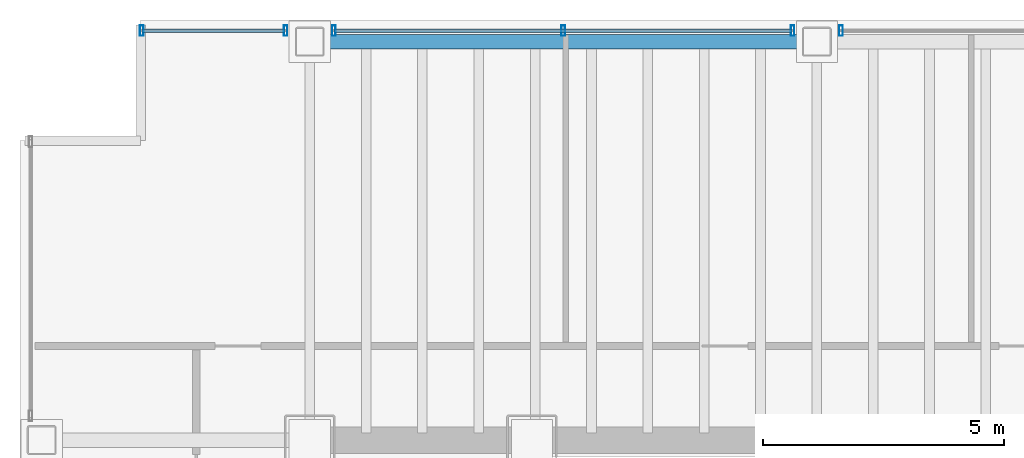
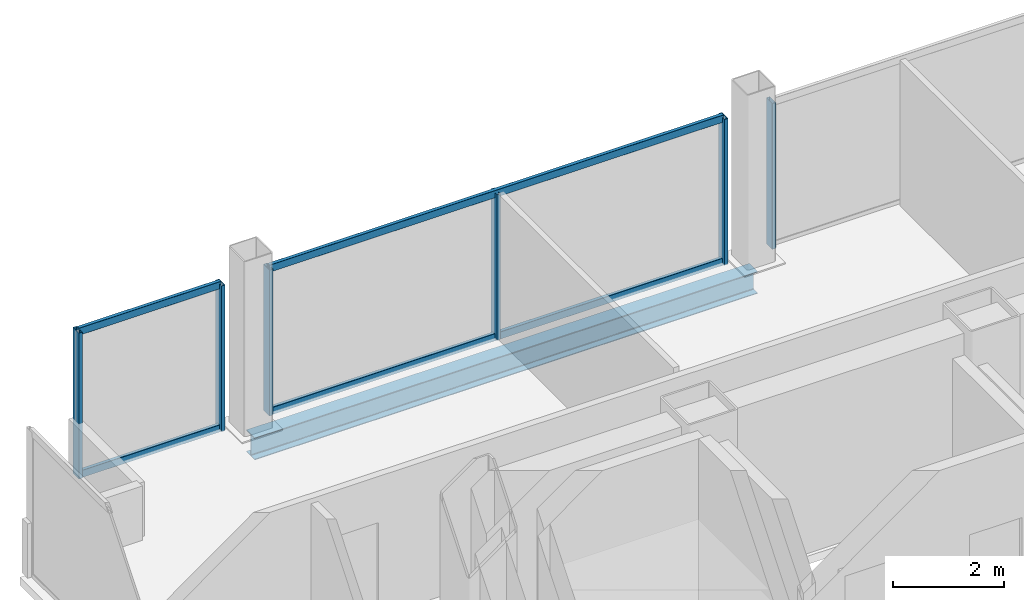
# One storey, part 13 of 20: 10 members, 1 beam, 3 elements without a shape of their own.
"""IFC4 building model written with IfcOpenShell, lengths in metres."""

from ifc_helpers import new_model, si_unit, direction, frame, origin, origin_2d, place, context, subcontext, project, spatial, hollow_rectangle, i_section, extrude, material, material_profile, profile_set, type_object, element, aggregate, save


model = new_model("IFC4")

# Units and contexts
model_context = context("Model", 3, precision=1e-05, world=origin(), true_north=direction((0.0, 1.0)))
body_context = subcontext(model_context, "Body", "Model", "MODEL_VIEW")
ifc_project = project(units=[si_unit("LENGTHUNIT", "METRE"), si_unit("AREAUNIT", "SQUARE_METRE"), si_unit("VOLUMEUNIT", "CUBIC_METRE"), si_unit("PLANEANGLEUNIT", "RADIAN"), si_unit("MASSUNIT", "GRAM", prefix="KILO")], contexts=[model_context])

# Site, building, storey
site_placement = place(None, origin())
site = spatial("IfcSite", under=ifc_project, at=site_placement, CompositionType="ELEMENT")
building_placement = place(site_placement, origin())
building = spatial("IfcBuilding", under=site, at=building_placement, Name="Noeulbin Bourse Tower", CompositionType="ELEMENT")
storey_placement = place(building_placement, frame((0.0, 0.0, 61.60009765625)))
storey = spatial("IfcBuildingStorey", under=building, at=storey_placement, Name="L15", CompositionType="ELEMENT", Elevation=61.60009765625)

# Beam
ifc_material_1 = material(Name="Steel S355", Category="steel")
ifc_material_profile_1 = material_profile(ifc_material_1, i_section(OverallWidth=0.300048828125, OverallDepth=0.488037109375, WebThickness=0.010986328125, FlangeThickness=0.01806640625, FilletRadius=0.02197265625, at=origin_2d()), Name="H-488x300x11x18", Category="LoadBearing")
ifc_profile_set_1 = profile_set([ifc_material_profile_1], Name="Steel S355")
beam_type = type_object("IfcBeamType", Name="BM-SPN-488", PredefinedType="SPANDREL", material=ifc_profile_set_1)
beam_placement = place(storey_placement, frame((13.5, 46.550048828125, -0.424072265625), z_axis=(1.0, 0.0, 0.0), x_axis=(0.0, 1.0, 0.0)))
element("IfcBeam", 1, at=beam_placement, inside=storey, type_object=beam_type, Name="North Spandrel L15-1", PredefinedType="SPANDREL", context=body_context, shape_type="SweptSolid", body=[
    extrude(i_section(OverallWidth=0.300048828125, OverallDepth=0.488037109375, WebThickness=0.010986328125, FlangeThickness=0.01806640625, FilletRadius=0.02197265625, at=origin_2d()), origin(), (0.0, 0.0, 1.0), 10.5),
])

# Curtain wall, members
ifc_material_2 = material(Name="Dark Solar-Control Double Glazing", Category="glass")
curtain_wall_type = type_object("IfcCurtainWallType", Name="CW-SYS-2", PredefinedType="NOTDEFINED", material=ifc_material_2)
curtain_wall_1_placement = place(storey_placement, origin())
curtain_wall_1 = element("IfcCurtainWall", 2, at=curtain_wall_1_placement, inside=storey, type_object=curtain_wall_type, Name="Unitised Curtain Wall CW-L15-N-S1", PredefinedType="NOTDEFINED")
ifc_material_3 = material(Name="Anodised Aluminium 6063-T6", Category="aluminium")
ifc_material_profile_2 = material_profile(ifc_material_3, hollow_rectangle(XDim=0.074951171875, YDim=0.219970703125, WallThickness=0.0048828125, InnerFilletRadius=0.00244140625, OuterFilletRadius=0.0048828125, at=origin_2d()), Name="ALU-MULL-75x220x5", Category="LoadBearing")
ifc_profile_set_2 = profile_set([ifc_material_profile_2], Name="Anodised Aluminium 6063-T6")
member_type_1 = type_object("IfcMemberType", Name="CW-SYS-2-MUL", PredefinedType="MULLION", material=ifc_profile_set_2)
member_1_placement = place(storey_placement, frame((10.02001953125, 46.780029296875, -0.02001953125), z_axis=(0.0, 0.0, 1.0), x_axis=(1.0, 0.0, 0.0)))
member_1 = element("IfcMember", 3, at=member_1_placement, type_object=member_type_1, Name="Curtain Wall Mullion CW-L15-N-S1-M00", PredefinedType="MULLION", context=body_context, shape_type="SweptSolid", body=[
    extrude(hollow_rectangle(XDim=0.074951171875, YDim=0.219970703125, WallThickness=0.0048828125, InnerFilletRadius=0.00244140625, OuterFilletRadius=0.0048828125, at=origin_2d()), origin(), (0.0, 0.0, 1.0), 3.219970703125),
])
member_2_placement = place(storey_placement, frame((13.0, 46.780029296875, -0.02001953125), z_axis=(0.0, 0.0, 1.0), x_axis=(1.0, 0.0, 0.0)))
member_2 = element("IfcMember", 4, at=member_2_placement, type_object=member_type_1, Name="Curtain Wall Mullion CW-L15-N-S1-M01", PredefinedType="MULLION", context=body_context, shape_type="SweptSolid", body=[
    extrude(hollow_rectangle(XDim=0.074951171875, YDim=0.219970703125, WallThickness=0.0048828125, InnerFilletRadius=0.00244140625, OuterFilletRadius=0.0048828125, at=origin_2d()), origin(), (0.0, 0.0, 1.0), 3.219970703125),
])

curtain_wall_2_placement = place(storey_placement, origin())
curtain_wall_2 = element("IfcCurtainWall", 5, at=curtain_wall_2_placement, inside=storey, type_object=curtain_wall_type, Name="Unitised Curtain Wall CW-L15-N-S2", PredefinedType="NOTDEFINED")
member_3_placement = place(storey_placement, frame((14.0, 46.780029296875, -0.02001953125), z_axis=(0.0, 0.0, 1.0), x_axis=(1.0, 0.0, 0.0)))
member_3 = element("IfcMember", 6, at=member_3_placement, type_object=member_type_1, Name="Curtain Wall Mullion CW-L15-N-S2-M00", PredefinedType="MULLION", context=body_context, shape_type="SweptSolid", body=[
    extrude(hollow_rectangle(XDim=0.074951171875, YDim=0.219970703125, WallThickness=0.0048828125, InnerFilletRadius=0.00244140625, OuterFilletRadius=0.0048828125, at=origin_2d()), origin(), (0.0, 0.0, 1.0), 3.219970703125),
])
member_4_placement = place(storey_placement, frame((18.75, 46.780029296875, -0.02001953125), z_axis=(0.0, 0.0, 1.0), x_axis=(1.0, 0.0, 0.0)))
member_4 = element("IfcMember", 7, at=member_4_placement, type_object=member_type_1, Name="Curtain Wall Mullion CW-L15-N-S2-M01", PredefinedType="MULLION", context=body_context, shape_type="SweptSolid", body=[
    extrude(hollow_rectangle(XDim=0.074951171875, YDim=0.219970703125, WallThickness=0.0048828125, InnerFilletRadius=0.00244140625, OuterFilletRadius=0.0048828125, at=origin_2d()), origin(), (0.0, 0.0, 1.0), 3.219970703125),
])
member_5_placement = place(storey_placement, frame((23.5, 46.780029296875, -0.02001953125), z_axis=(0.0, 0.0, 1.0), x_axis=(1.0, 0.0, 0.0)))
member_5 = element("IfcMember", 8, at=member_5_placement, type_object=member_type_1, Name="Curtain Wall Mullion CW-L15-N-S2-M02", PredefinedType="MULLION", context=body_context, shape_type="SweptSolid", body=[
    extrude(hollow_rectangle(XDim=0.074951171875, YDim=0.219970703125, WallThickness=0.0048828125, InnerFilletRadius=0.00244140625, OuterFilletRadius=0.0048828125, at=origin_2d()), origin(), (0.0, 0.0, 1.0), 3.219970703125),
])

# Curtain wall, member
curtain_wall_3_placement = place(storey_placement, origin())
curtain_wall_3 = element("IfcCurtainWall", 9, at=curtain_wall_3_placement, inside=storey, type_object=curtain_wall_type, Name="Unitised Curtain Wall CW-L15-N-S3", PredefinedType="NOTDEFINED")
member_6_placement = place(storey_placement, frame((24.5, 46.780029296875, -0.02001953125), z_axis=(0.0, 0.0, 1.0), x_axis=(1.0, 0.0, 0.0)))
member_6 = element("IfcMember", 10, at=member_6_placement, type_object=member_type_1, Name="Curtain Wall Mullion CW-L15-N-S3-M00", PredefinedType="MULLION", context=body_context, shape_type="SweptSolid", body=[
    extrude(hollow_rectangle(XDim=0.074951171875, YDim=0.219970703125, WallThickness=0.0048828125, InnerFilletRadius=0.00244140625, OuterFilletRadius=0.0048828125, at=origin_2d()), origin(), (0.0, 0.0, 1.0), 3.219970703125),
])
aggregate(curtain_wall_3, [member_6])

# Member
ifc_material_profile_3 = material_profile(ifc_material_3, hollow_rectangle(XDim=0.074951171875, YDim=0.159912109375, WallThickness=0.0048828125, InnerFilletRadius=0.00244140625, OuterFilletRadius=0.0048828125, at=origin_2d()), Name="ALU-TRAN-75x160x5", Category="LoadBearing")
ifc_profile_set_3 = profile_set([ifc_material_profile_3], Name="Anodised Aluminium 6063-T6")
member_type_2 = type_object("IfcMemberType", Name="CW-SYS-2-TRN", PredefinedType="USERDEFINED", material=ifc_profile_set_3)
member_7_placement = place(storey_placement, frame((10.030029296875, 46.780029296875, 0.010009765625), z_axis=(1.0, 0.0, 0.0), x_axis=(0.0, 1.0, 0.0)))
member_7 = element("IfcMember", 11, at=member_7_placement, type_object=member_type_2, Name="Curtain Wall Transom CW-L15-N-S1-T00", ObjectType="TRANSOM", PredefinedType="USERDEFINED", context=body_context, shape_type="SweptSolid", body=[
    extrude(hollow_rectangle(XDim=0.074951171875, YDim=0.159912109375, WallThickness=0.0048828125, InnerFilletRadius=0.00244140625, OuterFilletRadius=0.0048828125, at=origin_2d()), origin(), (0.0, 0.0, 1.0), 2.9599609375),
])

member_8_placement = place(storey_placement, frame((10.030029296875, 46.780029296875, 3.169921875), z_axis=(1.0, 0.0, 0.0), x_axis=(0.0, 1.0, 0.0)))
member_8 = element("IfcMember", 12, at=member_8_placement, type_object=member_type_2, Name="Curtain Wall Transom CW-L15-N-S1-T01", ObjectType="TRANSOM", PredefinedType="USERDEFINED", context=body_context, shape_type="SweptSolid", body=[
    extrude(hollow_rectangle(XDim=0.074951171875, YDim=0.159912109375, WallThickness=0.0048828125, InnerFilletRadius=0.00244140625, OuterFilletRadius=0.0048828125, at=origin_2d()), origin(), (0.0, 0.0, 1.0), 2.9599609375),
])

aggregate(curtain_wall_1, [member_1, member_2, member_7, member_8])

member_9_placement = place(storey_placement, frame((14.010009765625, 46.780029296875, 0.010009765625), z_axis=(1.0, 0.0, 0.0), x_axis=(0.0, 1.0, 0.0)))
member_9 = element("IfcMember", 13, at=member_9_placement, type_object=member_type_2, Name="Curtain Wall Transom CW-L15-N-S2-T00", ObjectType="TRANSOM", PredefinedType="USERDEFINED", context=body_context, shape_type="SweptSolid", body=[
    extrude(hollow_rectangle(XDim=0.074951171875, YDim=0.159912109375, WallThickness=0.0048828125, InnerFilletRadius=0.00244140625, OuterFilletRadius=0.0048828125, at=origin_2d()), origin(), (0.0, 0.0, 1.0), 9.47998046875),
])

member_10_placement = place(storey_placement, frame((14.010009765625, 46.780029296875, 3.169921875), z_axis=(1.0, 0.0, 0.0), x_axis=(0.0, 1.0, 0.0)))
member_10 = element("IfcMember", 14, at=member_10_placement, type_object=member_type_2, Name="Curtain Wall Transom CW-L15-N-S2-T01", ObjectType="TRANSOM", PredefinedType="USERDEFINED", context=body_context, shape_type="SweptSolid", body=[
    extrude(hollow_rectangle(XDim=0.074951171875, YDim=0.159912109375, WallThickness=0.0048828125, InnerFilletRadius=0.00244140625, OuterFilletRadius=0.0048828125, at=origin_2d()), origin(), (0.0, 0.0, 1.0), 9.47998046875),
])

aggregate(curtain_wall_2, [member_3, member_4, member_5, member_9, member_10])

save(model, "model.ifc")
